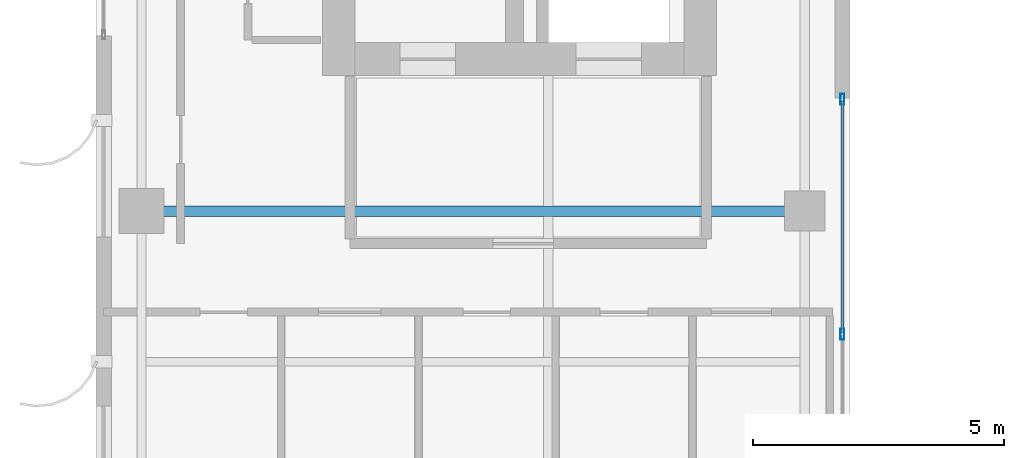
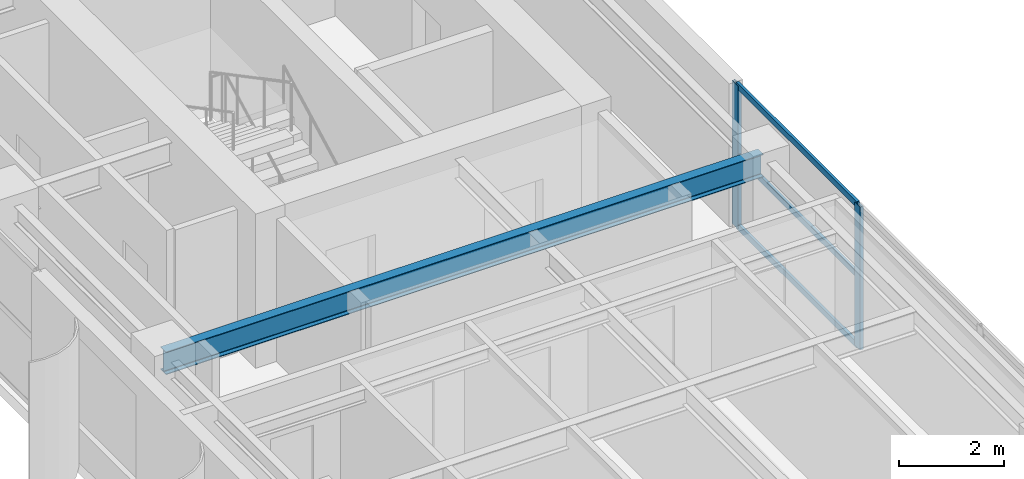
# One storey, part 4 of 22: 5 members, 1 beam, 1 element without a shape of its own.
"""IFC4 building model written with IfcOpenShell, lengths in metres."""

from ifc_helpers import new_model, si_unit, direction, frame, origin, origin_2d, place, context, subcontext, project, spatial, hollow_rectangle, i_section, extrude, source, transform, mapped, material, layer, layer_set, material_profile, profile_set, type_object, element, aggregate, save


model = new_model("IFC4")

# Units and contexts
model_context = context("Model", 3, precision=1e-05, world=origin(), true_north=direction((0.0, 1.0)))
body_context = subcontext(model_context, "Body", "Model", "MODEL_VIEW")
ifc_project = project(units=[si_unit("LENGTHUNIT", "METRE"), si_unit("AREAUNIT", "SQUARE_METRE"), si_unit("VOLUMEUNIT", "CUBIC_METRE"), si_unit("PLANEANGLEUNIT", "RADIAN"), si_unit("MASSUNIT", "GRAM", prefix="KILO")], contexts=[model_context])

# Site, building, storey
site_placement = place(None, origin())
site = spatial("IfcSite", under=ifc_project, at=site_placement, CompositionType="ELEMENT")
building_placement = place(site_placement, origin())
building = spatial("IfcBuilding", under=site, at=building_placement, Name="Khoralis Quay Care Tower", CompositionType="ELEMENT")
storey_placement = place(building_placement, frame((0.0, 0.0, 188.10009765625)))
storey = spatial("IfcBuildingStorey", under=building, at=storey_placement, Name="L49", CompositionType="ELEMENT", Elevation=188.10009765625)

# Beam
ifc_material_1 = material(Name="Steel S355", Category="steel")
ifc_material_profile_1 = material_profile(ifc_material_1, i_section(OverallWidth=0.208984375, OverallDepth=0.532958984375, WebThickness=0.01025390625, FlangeThickness=0.015625, FilletRadius=0.01611328125, at=origin_2d()), Name="Steel S355")
ifc_profile_set_1 = profile_set([ifc_material_profile_1], Name="Steel S355")
beam_type = type_object("IfcBeamType", Name="BM-W530X92", PredefinedType="BEAM", material=ifc_profile_set_1)
shared_shape_1 = source(origin(), body_context, "Body", "SweptSolid", [
    extrude(i_section(OverallWidth=0.208984375, OverallDepth=0.532958984375, WebThickness=0.01025390625, FlangeThickness=0.015625, FilletRadius=0.01611328125, at=origin_2d()), origin(), (0.0, 0.0, 1.0), 13.2001953125),
])
beam_placement = place(storey_placement, frame((3.89990234375, 12.0, 3.073486328125), z_axis=(1.0, 0.0, 0.0), x_axis=(0.0, 1.0, 0.0)))
element("IfcBeam", 1, at=beam_placement, inside=storey, type_object=beam_type, Name="BM-TGXW-L49-120", PredefinedType="BEAM", context=body_context, shape_type="MappedRepresentation", body=[
    mapped(shared_shape_1, transform((0.0, 0.0, 0.0), scale=1.0)),
])

# Curtain wall, members
ifc_material_2 = material(Name="Pale anodised aluminium", Category="aluminium")
ifc_layer = layer(ifc_material_2, 0.18994140625)
ifc_layer_set = layer_set([ifc_layer], Name="Pale anodised aluminium")
curtain_wall_type = type_object("IfcCurtainWallType", Name="CW-SYS-PORTAL", PredefinedType="NOTDEFINED", material=ifc_layer_set)
curtain_wall_placement = place(storey_placement, origin())
curtain_wall = element("IfcCurtainWall", 2, at=curtain_wall_placement, inside=storey, type_object=curtain_wall_type, Name="L49 Unitised Curtain Wall CW-VP-L49-P1-S", PredefinedType="NOTDEFINED")
ifc_material_profile_2 = material_profile(ifc_material_2, hollow_rectangle(XDim=0.06005859375, YDim=0.139892578125, WallThickness=0.00390625, at=origin_2d()), Name="Pale anodised aluminium")
ifc_profile_set_2 = profile_set([ifc_material_profile_2], Name="Pale anodised aluminium")
member_type_1 = type_object("IfcMemberType", Name="CW-TRN-140", PredefinedType="USERDEFINED", material=ifc_profile_set_2)
shared_shape_2 = source(origin(), body_context, "Body", "SweptSolid", [
    extrude(hollow_rectangle(XDim=0.06005859375, YDim=0.139892578125, WallThickness=0.00390625, at=origin_2d()), origin(), (0.0, 0.0, 1.0), 4.60986328125),
])
member_1_placement = place(storey_placement, frame((17.85009765625, 9.580078125, 0.02978515625), z_axis=(0.0, 1.0, 0.0), x_axis=(-1.0, 0.0, 0.0)))
member_1 = element("IfcMember", 3, at=member_1_placement, type_object=member_type_1, Name="CW4 transom 3.1", ObjectType="TRANSOM", PredefinedType="USERDEFINED", context=body_context, shape_type="MappedRepresentation", body=[
    mapped(shared_shape_2, transform((0.0, 0.0, 0.0), scale=1.0)),
])
member_2_placement = place(storey_placement, frame((17.85009765625, 9.580078125, 1.669921875), z_axis=(0.0, 1.0, 0.0), x_axis=(-1.0, 0.0, 0.0)))
member_2 = element("IfcMember", 4, at=member_2_placement, type_object=member_type_1, Name="CW4 transom 3.2", ObjectType="TRANSOM", PredefinedType="USERDEFINED", context=body_context, shape_type="MappedRepresentation", body=[
    mapped(shared_shape_2, transform((0.0, 0.0, 0.0), scale=1.0)),
])
member_3_placement = place(storey_placement, frame((17.85009765625, 9.580078125, 3.309814453125), z_axis=(0.0, 1.0, 0.0), x_axis=(-1.0, 0.0, 0.0)))
member_3 = element("IfcMember", 5, at=member_3_placement, type_object=member_type_1, Name="CW4 transom 3.3", ObjectType="TRANSOM", PredefinedType="USERDEFINED", context=body_context, shape_type="MappedRepresentation", body=[
    mapped(shared_shape_2, transform((0.0, 0.0, 0.0), scale=1.0)),
])
ifc_material_profile_3 = material_profile(ifc_material_2, hollow_rectangle(XDim=0.074951171875, YDim=0.219970703125, WallThickness=0.00390625, at=origin_2d()), Name="Pale anodised aluminium")
ifc_profile_set_3 = profile_set([ifc_material_profile_3], Name="Pale anodised aluminium")
member_type_2 = type_object("IfcMemberType", Name="CW-MUL-220", PredefinedType="MULLION", material=ifc_profile_set_3)
shared_shape_3 = source(origin(), body_context, "Body", "SweptSolid", [
    extrude(hollow_rectangle(XDim=0.074951171875, YDim=0.219970703125, WallThickness=0.00390625, at=origin_2d()), origin(), (0.0, 0.0, 1.0), 3.33984375),
])
member_4_placement = place(storey_placement, frame((17.85009765625, 9.550048828125, 0.0), z_axis=(0.0, 0.0, 1.0), x_axis=(-1.0, 0.0, 0.0)))
member_4 = element("IfcMember", 6, at=member_4_placement, type_object=member_type_2, Name="CW4 mullion 3", PredefinedType="MULLION", context=body_context, shape_type="MappedRepresentation", body=[
    mapped(shared_shape_3, transform((0.0, 0.0, 0.0), scale=1.0)),
])
member_5_placement = place(storey_placement, frame((17.85009765625, 14.219970703125, 0.0), z_axis=(0.0, 0.0, 1.0), x_axis=(-1.0, 0.0, 0.0)))
member_5 = element("IfcMember", 7, at=member_5_placement, type_object=member_type_2, Name="CW4 mullion 4", PredefinedType="MULLION", context=body_context, shape_type="MappedRepresentation", body=[
    mapped(shared_shape_3, transform((0.0, 0.0, 0.0), scale=1.0)),
])
aggregate(curtain_wall, [member_4, member_5, member_1, member_2, member_3])

save(model, "model.ifc")
